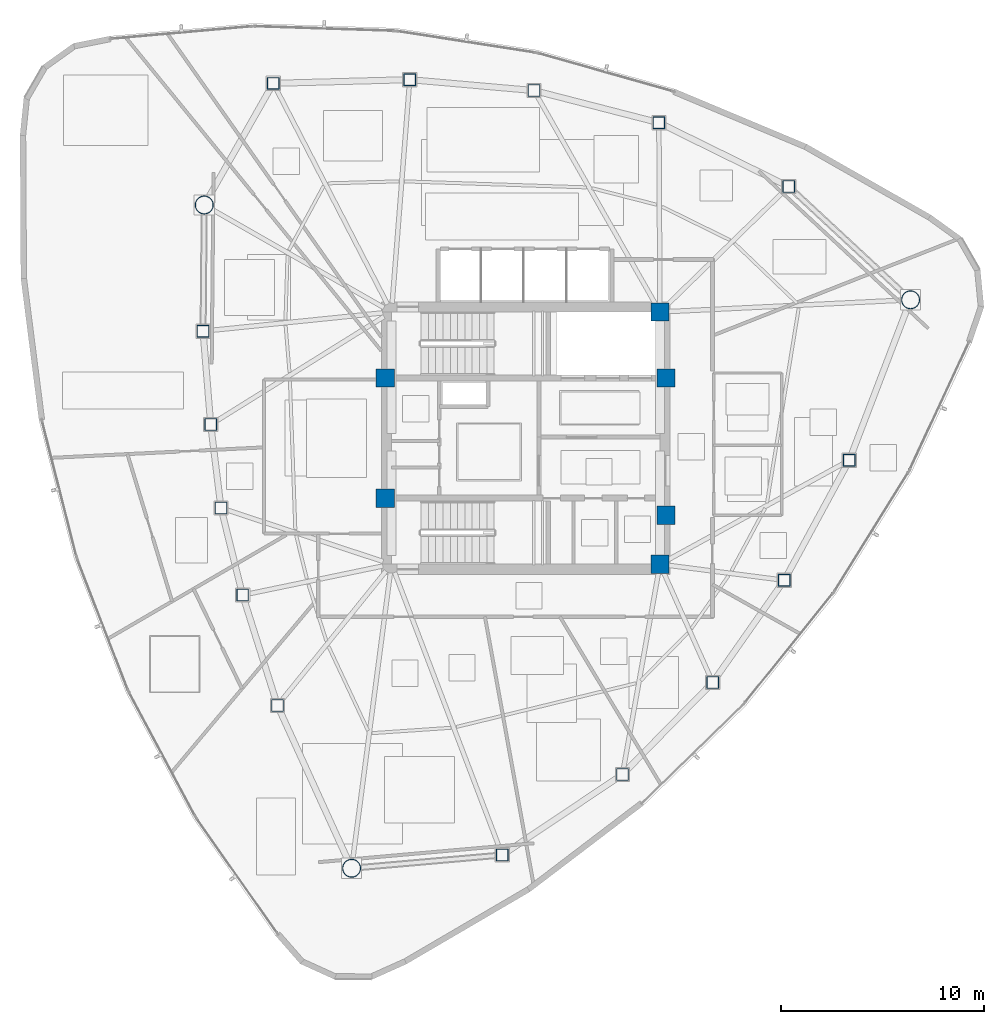
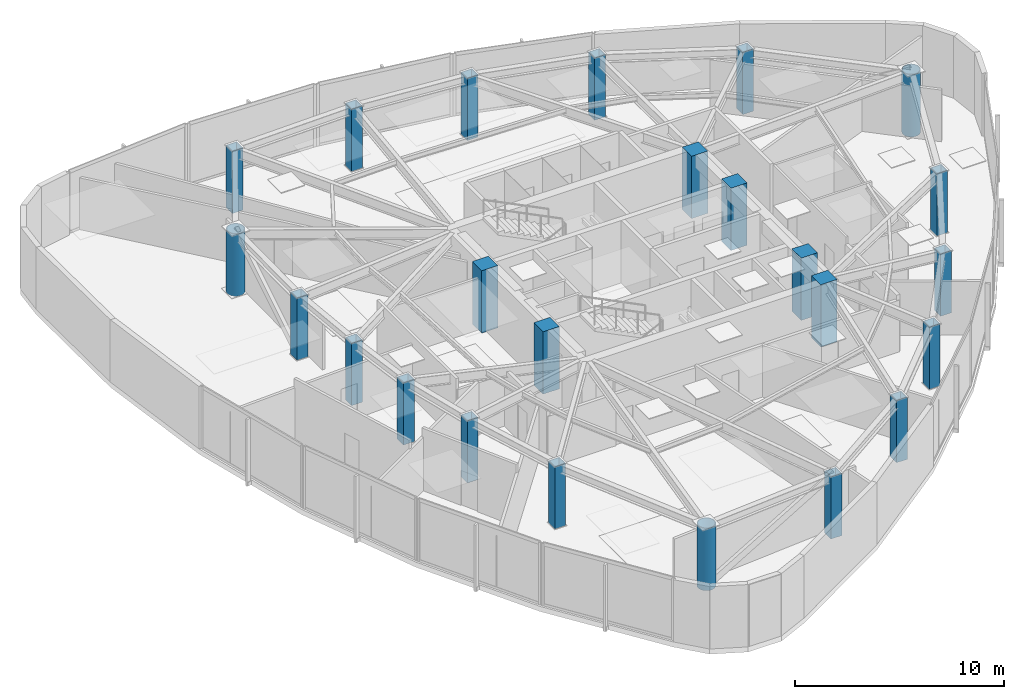
# One storey, part 1 of 13: 24 columns.
"""IFC4 building model written with IfcOpenShell, lengths in metres."""

from ifc_helpers import new_model, si_unit, direction, frame, origin, origin_2d, place, context, subcontext, project, spatial, rectangle, hollow_rectangle, hollow_circle, extrude, material, material_profile, profile_set, type_object, element, save


model = new_model("IFC4")

# Units and contexts
model_context = context("Model", 3, precision=1e-05, world=origin(), true_north=direction((0.0, 1.0)))
body_context = subcontext(model_context, "Body", "Model", "MODEL_VIEW")
ifc_project = project(units=[si_unit("LENGTHUNIT", "METRE"), si_unit("AREAUNIT", "SQUARE_METRE"), si_unit("VOLUMEUNIT", "CUBIC_METRE"), si_unit("PLANEANGLEUNIT", "RADIAN"), si_unit("MASSUNIT", "GRAM", prefix="KILO")], contexts=[model_context])

# Site, building, storey
site_placement = place(None, origin())
site = spatial("IfcSite", under=ifc_project, at=site_placement, CompositionType="ELEMENT")
building_placement = place(site_placement, origin())
building = spatial("IfcBuilding", under=site, at=building_placement, Name="Tavelor Broadcast Tower", CompositionType="ELEMENT")
storey_placement = place(building_placement, frame((0.0, 0.0, 241.89990234375)))
storey = spatial("IfcBuildingStorey", under=building, at=storey_placement, Name="L57", CompositionType="ELEMENT", Elevation=241.89990234375)

# Columns
ifc_material_1 = material(Name="Concrete C50/60", Category="concrete")
ifc_material_profile_1 = material_profile(ifc_material_1, rectangle(XDim=0.89990234375, YDim=0.89990234375, at=origin_2d()), Name="RC 900x900")
ifc_profile_set_1 = profile_set([ifc_material_profile_1], Name="Concrete C50/60")
column_type_1 = type_object("IfcColumnType", Name="Core Embedded Composite Column RC900", PredefinedType="COLUMN", material=ifc_profile_set_1)
for number, where, z_axis, x_axis, name in (
    (1, (43.10009765625, 47.949951171875, 0.0), (0.0, 0.0, 1.0), (1.0, 0.0, 0.0), "L57 Core Embedded Column 1"),
    (2, (56.89990234375, 47.949951171875, 0.0), (0.0, 0.0, 1.0), (1.0, 0.0, 0.0), "L57 Core Embedded Column 2"),
    (3, (56.60009765625, 51.199951171875, 0.0), (0.0, 0.0, 1.0), (1.0, 0.0, 0.0), "L57 Core Embedded Column 3"),
    (4, (43.10009765625, 42.050048828125, 0.0), (0.0, 0.0, 1.0), (1.0, 0.0, 0.0), "L57 Core Embedded Column 4"),
    (5, (56.89990234375, 41.199951171875, 0.0), (0.0, 0.0, 1.0), (1.0, 0.0, 0.0), "L57 Core Embedded Column 5"),
    (6, (56.60009765625, 38.800048828125, 0.0), (0.0, 0.0, 1.0), (1.0, 0.0, 0.0), "L57 Core Embedded Column 6"),
):
    element("IfcColumn", number, at=place(storey_placement, frame(where, z_axis=z_axis, x_axis=x_axis)), inside=storey, type_object=column_type_1, Name=name, PredefinedType="COLUMN", context=body_context, shape_type="SweptSolid", body=[
        extrude(rectangle(XDim=0.89990234375, YDim=0.89990234375, at=origin_2d()), origin(), (0.0, 0.0, 1.0), 3.650146484375),
    ])
ifc_material_2 = material(Name="Steel S460", Category="steel")
ifc_material_profile_2 = material_profile(ifc_material_2, hollow_rectangle(XDim=0.60009765625, YDim=0.60009765625, WallThickness=0.035888671875, at=origin_2d()), Name="SHS 600x600x36")
ifc_profile_set_2 = profile_set([ifc_material_profile_2], Name="Steel S460")
column_type_2 = type_object("IfcColumnType", Name="Perimeter Tube Column T5 SHS 600x600x36", PredefinedType="COLUMN", material=ifc_profile_set_2)
for number, where, z_axis, x_axis, name in (
    (7, (34.13720703125, 50.255859375, 0.0), (0.0, 0.0, 1.0), (1.0, 0.0, 0.0), "L57 Perimeter Framed-Tube Column 02"),
    (8, (34.513671875, 45.66455078125, 0.0), (0.0, 0.0, 1.0), (1.0, 0.0, 0.0), "L57 Perimeter Framed-Tube Column 03"),
    (9, (35.018798828125, 41.56396484375, 0.0), (0.0, 0.0, 1.0), (1.0, 0.0, 0.0), "L57 Perimeter Framed-Tube Column 04"),
    (10, (36.08349609375, 37.2822265625, 0.0), (0.0, 0.0, 1.0), (1.0, 0.0, 0.0), "L57 Perimeter Framed-Tube Column 05"),
    (11, (37.797119140625, 31.853271484375, 0.0), (0.0, 0.0, 1.0), (1.0, 0.0, 0.0), "L57 Perimeter Framed-Tube Column 06"),
    (12, (48.843994140625, 24.5048828125, 0.0), (0.0, 0.0, 1.0), (1.0, 0.0, 0.0), "L57 Perimeter Framed-Tube Column 08"),
    (13, (54.754150390625, 28.461669921875, 0.0), (0.0, 0.0, 1.0), (1.0, 0.0, 0.0), "L57 Perimeter Framed-Tube Column 09"),
    (14, (59.1923828125, 32.987060546875, 0.0), (0.0, 0.0, 1.0), (1.0, 0.0, 0.0), "L57 Perimeter Framed-Tube Column 10"),
    (15, (62.7109375, 38.009033203125, 0.0), (0.0, 0.0, 1.0), (1.0, 0.0, 0.0), "L57 Perimeter Framed-Tube Column 11"),
    (16, (65.9072265625, 43.909423828125, 0.0), (0.0, 0.0, 1.0), (1.0, 0.0, 0.0), "L57 Perimeter Framed-Tube Column 12"),
    (17, (62.92724609375, 57.364013671875, 0.0), (0.0, 0.0, 1.0), (1.0, 0.0, 0.0), "L57 Perimeter Framed-Tube Column 14"),
    (18, (56.545654296875, 60.504150390625, 0.0), (0.0, 0.0, 1.0), (1.0, 0.0, 0.0), "L57 Perimeter Framed-Tube Column 15"),
    (19, (50.4072265625, 62.0849609375, 0.0), (0.0, 0.0, 1.0), (1.0, 0.0, 0.0), "L57 Perimeter Framed-Tube Column 16"),
    (20, (44.298828125, 62.621337890625, 0.0), (0.0, 0.0, 1.0), (1.0, 0.0, 0.0), "L57 Perimeter Framed-Tube Column 17"),
    (21, (37.5908203125, 62.439208984375, 0.0), (0.0, 0.0, 1.0), (1.0, 0.0, 0.0), "L57 Perimeter Framed-Tube Column 18"),
):
    element("IfcColumn", number, at=place(storey_placement, frame(where, z_axis=z_axis, x_axis=x_axis)), inside=storey, type_object=column_type_2, Name=name, PredefinedType="COLUMN", context=body_context, shape_type="SweptSolid", body=[
        extrude(hollow_rectangle(XDim=0.60009765625, YDim=0.60009765625, WallThickness=0.035888671875, at=origin_2d()), origin(), (0.0, 0.0, 1.0), 3.650146484375),
    ])
ifc_material_profile_3 = material_profile(ifc_material_2, hollow_circle(Radius=0.45703125, WallThickness=0.0400390625, at=origin_2d()), Name="CHS 914x40")
ifc_profile_set_3 = profile_set([ifc_material_profile_3], Name="Steel S460")
column_type_3 = type_object("IfcColumnType", Name="Tower Mega Column T5 CHS 914x40", PredefinedType="COLUMN", material=ifc_profile_set_3)
for number, where, z_axis, x_axis, name in (
    (22, (34.1962890625, 56.4599609375, 0.0), (0.0, 0.0, 1.0), (1.0, 0.0, 0.0), "L57 Tower Corner Mega Column 01"),
    (23, (41.440185546875, 23.853759765625, 0.0), (0.0, 0.0, 1.0), (1.0, 0.0, 0.0), "L57 Tower Corner Mega Column 07"),
    (24, (68.919677734375, 51.799072265625, 0.0), (0.0, 0.0, 1.0), (1.0, 0.0, 0.0), "L57 Tower Corner Mega Column 13"),
):
    element("IfcColumn", number, at=place(storey_placement, frame(where, z_axis=z_axis, x_axis=x_axis)), inside=storey, type_object=column_type_3, Name=name, PredefinedType="COLUMN", context=body_context, shape_type="SweptSolid", body=[
        extrude(hollow_circle(Radius=0.45703125, WallThickness=0.0400390625, at=origin_2d()), origin(), (0.0, 0.0, 1.0), 3.650146484375),
    ])

save(model, "model.ifc")
